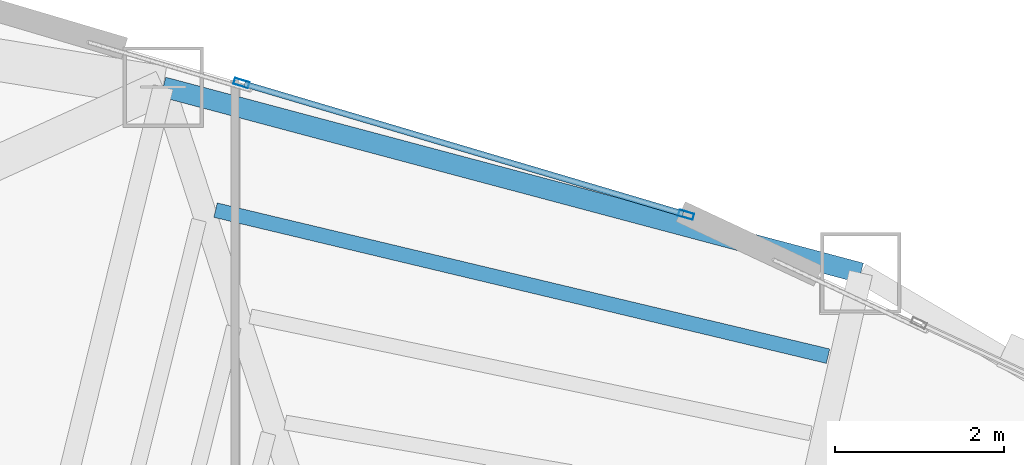
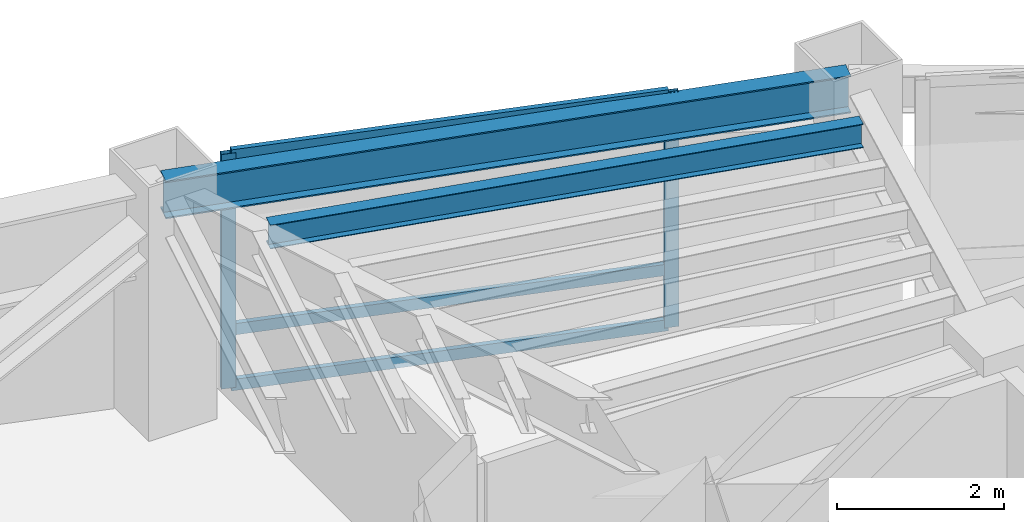
# One storey, part 9 of 16: 5 members, 2 beams, 1 element without a shape of its own.
"""IFC4 building model written with IfcOpenShell, lengths in metres."""

from ifc_helpers import new_model, si_unit, direction, frame, origin, origin_2d, place, context, subcontext, project, spatial, hollow_rectangle, i_section, extrude, material, layer, layer_set, material_profile, profile_set, type_object, element, aggregate, save


model = new_model("IFC4")

# Units and contexts
model_context = context("Model", 3, precision=1e-05, world=origin(), true_north=direction((0.0, 1.0)))
body_context = subcontext(model_context, "Body", "Model", "MODEL_VIEW")
ifc_project = project(units=[si_unit("LENGTHUNIT", "METRE"), si_unit("AREAUNIT", "SQUARE_METRE"), si_unit("VOLUMEUNIT", "CUBIC_METRE"), si_unit("PLANEANGLEUNIT", "RADIAN"), si_unit("MASSUNIT", "GRAM", prefix="KILO")], contexts=[model_context])

# Site, building, storey
site_placement = place(None, origin())
site = spatial("IfcSite", under=ifc_project, at=site_placement, CompositionType="ELEMENT")
building_placement = place(site_placement, origin())
building = spatial("IfcBuilding", under=site, at=building_placement, Name="Menara Vayukalpa", CompositionType="ELEMENT")
storey_placement = place(building_placement, frame((0.0, 0.0, 202.679931640625)))
storey = spatial("IfcBuildingStorey", under=building, at=storey_placement, Name="L51", CompositionType="ELEMENT", Elevation=202.679931640625)

# Beams
ifc_material_1 = material(Name="Steel S355", Category="steel")
ifc_material_profile_1 = material_profile(ifc_material_1, i_section(OverallWidth=0.175048828125, OverallDepth=0.35009765625, WebThickness=0.007080078125, FlangeThickness=0.010986328125, at=origin_2d()), Name="WF 350x175x7x11")
ifc_profile_set_1 = profile_set([ifc_material_profile_1], Name="Steel S355")
beam_type_1 = type_object("IfcBeamType", Name="BM-SJ3", PredefinedType="JOIST", material=ifc_profile_set_1)
beam_1_placement = place(storey_placement, frame((23.002685546875, 31.725830078125, 3.26513671875), z_axis=(-0.972731800574, 0.231932844055, 0.0), x_axis=(-0.231932844055, -0.972731800574, 0.0)))
element("IfcBeam", 1, at=beam_1_placement, inside=storey, type_object=beam_type_1, Name="L51 Secondary Floor Joist SJ03-5", PredefinedType="JOIST", context=body_context, shape_type="SweptSolid", body=[
    extrude(i_section(OverallWidth=0.175048828125, OverallDepth=0.35009765625, WebThickness=0.007080078125, FlangeThickness=0.010986328125, at=origin_2d()), origin(), (0.0, 0.0, 1.0), 7.4326171875),
])
ifc_material_2 = material(Name="Steel S355", Category="steel")
ifc_material_profile_2 = material_profile(ifc_material_2, i_section(OverallWidth=0.239990234375, OverallDepth=0.550048828125, WebThickness=0.010986328125, FlangeThickness=0.01904296875, at=origin_2d()), Name="WF 550x240x11x19")
ifc_profile_set_2 = profile_set([ifc_material_profile_2], Name="Steel S355")
beam_type_2 = type_object("IfcBeamType", Name="BM-SP2", PredefinedType="SPANDREL", material=ifc_profile_set_2)
beam_2_placement = place(storey_placement, frame((23.389404296875, 32.70849609375, 3.1650390625), z_axis=(-0.966287699272, 0.25746472037, 0.0), x_axis=(-0.25746472037, -0.966287699272, 0.0)))
element("IfcBeam", 2, at=beam_2_placement, inside=storey, type_object=beam_type_2, Name="L51 Perimeter Spandrel Beam SP03", PredefinedType="SPANDREL", context=body_context, shape_type="SweptSolid", body=[
    extrude(i_section(OverallWidth=0.239990234375, OverallDepth=0.550048828125, WebThickness=0.010986328125, FlangeThickness=0.01904296875, at=origin_2d()), origin(), (0.0, 0.0, 1.0), 8.52197265625),
])

# Curtain wall, members
ifc_material_3 = material(Name="Anodised Terracotta Aluminium Alloy 6063-T6", Category="masonry")
ifc_layer = layer(ifc_material_3, 0.179931640625)
ifc_layer_set = layer_set([ifc_layer], Name="Anodised Terracotta Aluminium Alloy 6063-T6")
curtain_wall_type = type_object("IfcCurtainWallType", Name="CW-CW4", PredefinedType="USERDEFINED", material=ifc_layer_set)
curtain_wall_placement = place(storey_placement, origin())
curtain_wall = element("IfcCurtainWall", 3, at=curtain_wall_placement, inside=storey, type_object=curtain_wall_type, Name="L51 Sky Bar Cantilever Glazed Curtain Wall CW4 07", ObjectType="UNITISED", PredefinedType="USERDEFINED")
ifc_material_4 = material(Name="Anodised Terracotta Aluminium Alloy 6063-T6", Category="masonry")
ifc_material_profile_3 = material_profile(ifc_material_4, hollow_rectangle(XDim=0.074951171875, YDim=0.179931640625, WallThickness=0.00390625, at=origin_2d()), Name="ALU 75x180x4")
ifc_profile_set_3 = profile_set([ifc_material_profile_3], Name="Anodised Terracotta Aluminium Alloy 6063-T6")
member_type_1 = type_object("IfcMemberType", Name="CWM-CW4", PredefinedType="MULLION", material=ifc_profile_set_3)
member_1_placement = place(storey_placement, frame((21.3271484375, 33.395263671875, 0.0), z_axis=(0.0, 0.0, 1.0), x_axis=(-0.283893813595, -0.958855725645, 0.0)))
member_1 = element("IfcMember", 4, at=member_1_placement, type_object=member_type_1, Name="CW4 mullion 1", PredefinedType="MULLION", context=body_context, shape_type="SweptSolid", body=[
    extrude(hollow_rectangle(XDim=0.074951171875, YDim=0.179931640625, WallThickness=0.00390625, at=origin_2d()), origin(), (0.0, 0.0, 1.0), 3.440185546875),
])
member_2_placement = place(storey_placement, frame((16.07861328125, 34.949462890625, 0.0), z_axis=(0.0, 0.0, 1.0), x_axis=(-0.283893813595, -0.958855725645, 0.0)))
member_2 = element("IfcMember", 5, at=member_2_placement, type_object=member_type_1, Name="CW4 mullion 2", PredefinedType="MULLION", context=body_context, shape_type="SweptSolid", body=[
    extrude(hollow_rectangle(XDim=0.074951171875, YDim=0.179931640625, WallThickness=0.00390625, at=origin_2d()), origin(), (0.0, 0.0, 1.0), 3.440185546875),
])
ifc_material_5 = material(Name="Anodised Terracotta Aluminium Alloy 6063-T6", Category="masonry")
ifc_material_profile_4 = material_profile(ifc_material_5, hollow_rectangle(XDim=0.070068359375, YDim=0.1650390625, WallThickness=0.00390625, at=origin_2d()), Name="ALU 70x165x4")
ifc_profile_set_4 = profile_set([ifc_material_profile_4], Name="Anodised Terracotta Aluminium Alloy 6063-T6")
member_type_2 = type_object("IfcMemberType", Name="CWT-CW4", PredefinedType="USERDEFINED", material=ifc_profile_set_4)
member_3_placement = place(storey_placement, frame((21.291259765625, 33.406005859375, 0.03515625), z_axis=(-0.958855573875, 0.283894326202, 0.0), x_axis=(-0.283894326202, -0.958855573875, 0.0)))
member_3 = element("IfcMember", 6, at=member_3_placement, type_object=member_type_2, Name="CW4 transom 1.1", ObjectType="TRANSOM", PredefinedType="USERDEFINED", context=body_context, shape_type="SweptSolid", body=[
    extrude(hollow_rectangle(XDim=0.070068359375, YDim=0.1650390625, WallThickness=0.00390625, at=origin_2d()), origin(), (0.0, 0.0, 1.0), 5.39892578125),
])
member_4_placement = place(storey_placement, frame((21.291259765625, 33.406005859375, 0.85009765625), z_axis=(-0.958855573875, 0.283894326202, 0.0), x_axis=(-0.283894326202, -0.958855573875, 0.0)))
member_4 = element("IfcMember", 7, at=member_4_placement, type_object=member_type_2, Name="CW4 transom 1.2", ObjectType="TRANSOM", PredefinedType="USERDEFINED", context=body_context, shape_type="SweptSolid", body=[
    extrude(hollow_rectangle(XDim=0.070068359375, YDim=0.1650390625, WallThickness=0.00390625, at=origin_2d()), origin(), (0.0, 0.0, 1.0), 5.39892578125),
])
member_5_placement = place(storey_placement, frame((21.291259765625, 33.406005859375, 3.405029296875), z_axis=(-0.958855573875, 0.283894326202, 0.0), x_axis=(-0.283894326202, -0.958855573875, 0.0)))
member_5 = element("IfcMember", 8, at=member_5_placement, type_object=member_type_2, Name="CW4 transom 1.3", ObjectType="TRANSOM", PredefinedType="USERDEFINED", context=body_context, shape_type="SweptSolid", body=[
    extrude(hollow_rectangle(XDim=0.070068359375, YDim=0.1650390625, WallThickness=0.00390625, at=origin_2d()), origin(), (0.0, 0.0, 1.0), 5.39892578125),
])
aggregate(curtain_wall, [member_1, member_2, member_3, member_4, member_5])

save(model, "model.ifc")
